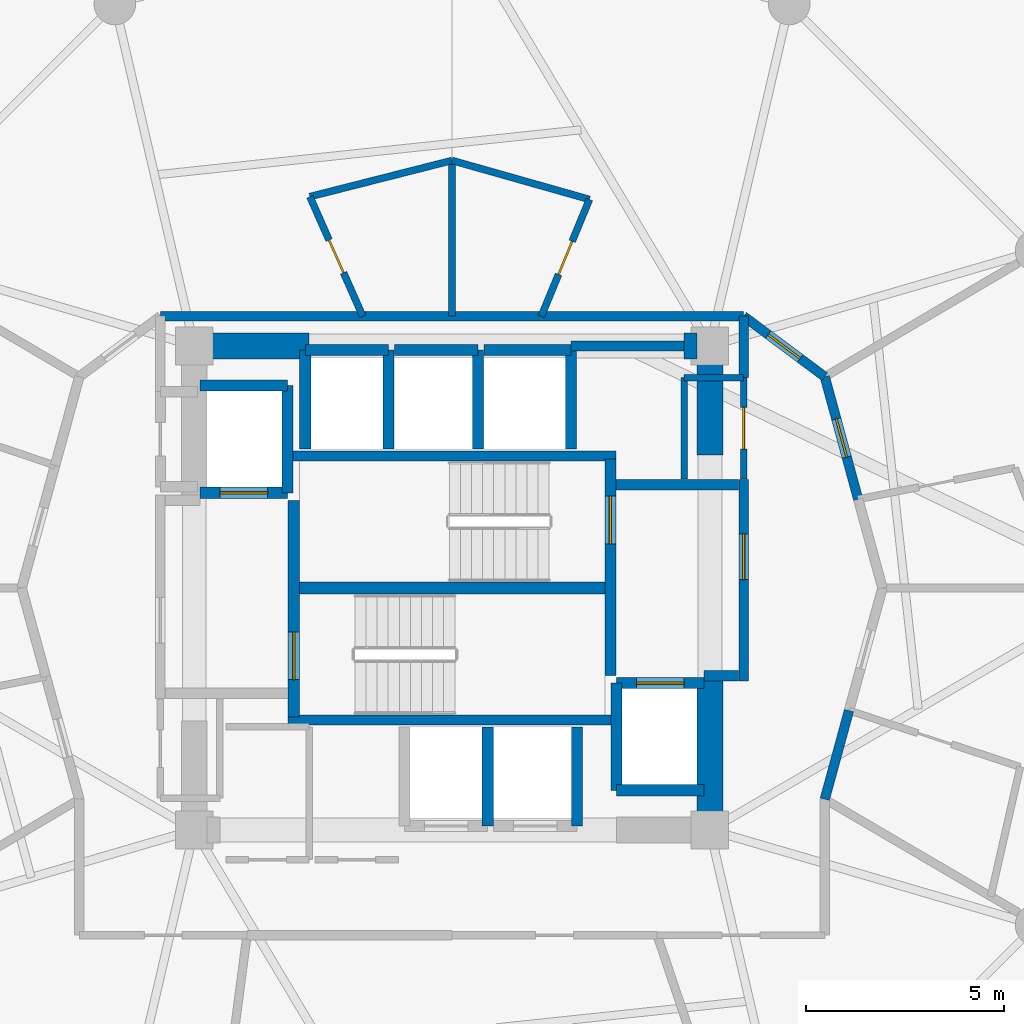
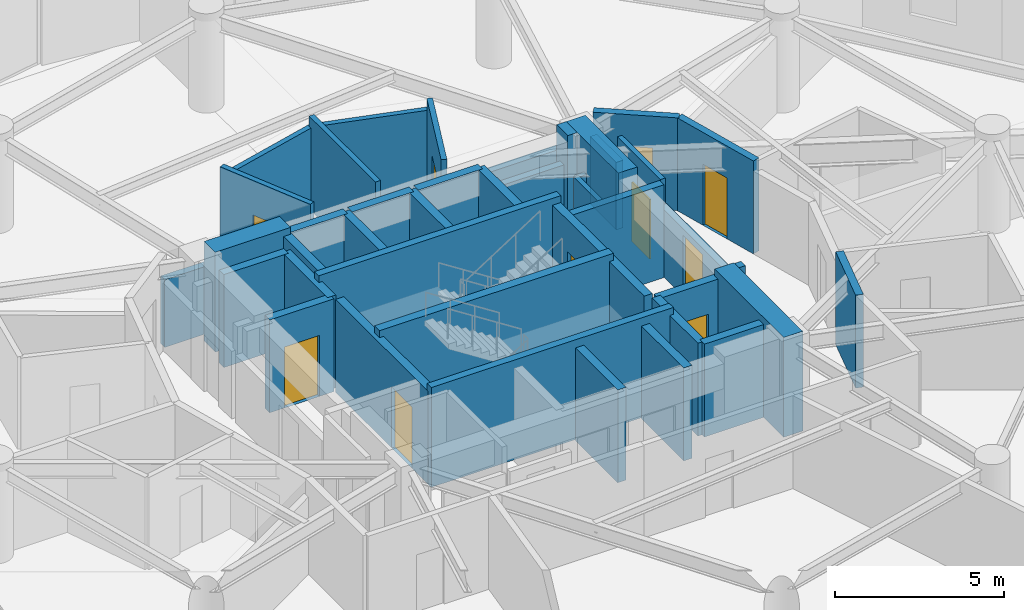
# One storey, part 19 of 23: 41 walls, 10 doors, 10 openings.
"""IFC4 building model written with IfcOpenShell, lengths in metres."""

from ifc_helpers import new_model, si_unit, direction, frame, frame_2d, origin, place, context, subcontext, project, spatial, rectangle, extrude, material, layer, layer_set, type_object, element, fill, save


model = new_model("IFC4")

# Units and contexts
model_context = context("Model", 3, precision=1e-05, world=origin(), true_north=direction((0.0, 1.0)))
body_context = subcontext(model_context, "Body", "Model", "MODEL_VIEW")
ifc_project = project(units=[si_unit("LENGTHUNIT", "METRE"), si_unit("AREAUNIT", "SQUARE_METRE"), si_unit("VOLUMEUNIT", "CUBIC_METRE"), si_unit("PLANEANGLEUNIT", "RADIAN"), si_unit("MASSUNIT", "GRAM", prefix="KILO")], contexts=[model_context])

# Site, building, storey
site_placement = place(None, origin())
site = spatial("IfcSite", under=ifc_project, at=site_placement, CompositionType="ELEMENT")
building_placement = place(site_placement, origin())
building = spatial("IfcBuilding", under=site, at=building_placement, Name="Solvirekh Grand Hotel", CompositionType="ELEMENT")
storey_placement = place(building_placement, frame((0.0, 0.0, 109.800048828125)))
storey = spatial("IfcBuildingStorey", under=building, at=storey_placement, Name="L27", CompositionType="ELEMENT", Elevation=109.800048828125)

# Walls
ifc_material_1 = material(Name="Concrete C50/60", Category="concrete")
ifc_layer_1 = layer(ifc_material_1, 0.35009765625)
ifc_layer_set_1 = layer_set([ifc_layer_1], Name="Concrete C50/60")
wall_type_1 = type_object("IfcWallType", Name="CoreDivWall_RC350", PredefinedType="SOLIDWALL", material=ifc_layer_set_1)
for number, where, z_axis, x_axis, name in (
    (1, (-4.1298828125, -3.324951171875, 0.0), (0.0, 0.0, 1.0), (1.0, 0.0, 0.0), "L27 core stair box wall ST-S"),
    (2, (-4.1298828125, 3.324951171875, 0.0), (0.0, 0.0, 1.0), (1.0, 0.0, 0.0), "L27 core stair box wall ST-N"),
):
    element("IfcWall", number, at=place(storey_placement, frame(where, z_axis=z_axis, x_axis=x_axis)), inside=storey, type_object=wall_type_1, Name=name, PredefinedType="SOLIDWALL", context=body_context, shape_type="SweptSolid", body=[
        extrude(rectangle(XDim=8.259765625, YDim=0.25, at=frame_2d((4.1298828125, 0.0))), origin(), (0.0, 0.0, 1.0), 3.599853515625),
    ])
ifc_material_2 = material(Name="Concrete C40/50", Category="concrete")
ifc_layer_2 = layer(ifc_material_2, 0.280029296875)
ifc_layer_set_2 = layer_set([ifc_layer_2], Name="Concrete C40/50")
wall_type_2 = type_object("IfcWallType", Name="CoreShaftWall_RC280", PredefinedType="SOLIDWALL", material=ifc_layer_set_2)
for number, where, z_axis, x_axis, name in (
    (3, (0.89990234375, -6.0, 0.0), (0.0, 0.0, 1.0), (0.0, 1.0, 0.0), "L27 MP-1 hoistway E wall"),
    (4, (3.14990234375, -6.0, 0.0), (0.0, 0.0, 1.0), (0.0, 1.0, 0.0), "L27 MP-2 hoistway E wall"),
):
    element("IfcWall", number, at=place(storey_placement, frame(where, z_axis=z_axis, x_axis=x_axis)), inside=storey, type_object=wall_type_2, Name=name, PredefinedType="SOLIDWALL", context=body_context, shape_type="SweptSolid", body=[
        extrude(rectangle(XDim=2.5, YDim=0.280029296875, at=frame_2d((1.25, 0.0))), origin(), (0.0, 0.0, 1.0), 3.349853515625),
    ])
wall_1_placement = place(storey_placement, frame((-1.60009765625, 6.0, 0.0), z_axis=(0.0, 0.0, 1.0), x_axis=(-1.0, 0.0, 0.0)))
element("IfcWall", 5, at=wall_1_placement, inside=storey, type_object=wall_type_2, Name="L27 HP-1 hoistway N wall", PredefinedType="SOLIDWALL", context=body_context, shape_type="SweptSolid", body=[
    extrude(rectangle(XDim=2.099853515625, YDim=0.280029296875, at=frame_2d((1.0498046875, 0.0))), origin(), (0.0, 0.0, 1.0), 3.349853515625),
])
for number, where, z_axis, x_axis, name in (
    (6, (-3.699951171875, 6.0, 0.0), (0.0, 0.0, 1.0), (0.0, -1.0, 0.0), "L27 HP-1 hoistway W wall"),
    (7, (-1.60009765625, 3.5, 0.0), (0.0, 0.0, 1.0), (0.0, 1.0, 0.0), "L27 HP-1 hoistway E wall"),
):
    element("IfcWall", number, at=place(storey_placement, frame(where, z_axis=z_axis, x_axis=x_axis)), inside=storey, type_object=wall_type_2, Name=name, PredefinedType="SOLIDWALL", context=body_context, shape_type="SweptSolid", body=[
        extrude(rectangle(XDim=2.5, YDim=0.280029296875, at=frame_2d((1.25, 0.0))), origin(), (0.0, 0.0, 1.0), 3.349853515625),
    ])
wall_2_placement = place(storey_placement, frame((0.64990234375, 6.0, 0.0), z_axis=(0.0, 0.0, 1.0), x_axis=(-1.0, 0.0, 0.0)))
element("IfcWall", 8, at=wall_2_placement, inside=storey, type_object=wall_type_2, Name="L27 HP-2 hoistway N wall", PredefinedType="SOLIDWALL", context=body_context, shape_type="SweptSolid", body=[
    extrude(rectangle(XDim=2.099853515625, YDim=0.280029296875, at=frame_2d((1.0498046875, 0.0))), origin(), (0.0, 0.0, 1.0), 3.349853515625),
])
wall_3_placement = place(storey_placement, frame((0.64990234375, 3.5, 0.0), z_axis=(0.0, 0.0, 1.0), x_axis=(0.0, 1.0, 0.0)))
element("IfcWall", 9, at=wall_3_placement, inside=storey, type_object=wall_type_2, Name="L27 HP-2 hoistway E wall", PredefinedType="SOLIDWALL", context=body_context, shape_type="SweptSolid", body=[
    extrude(rectangle(XDim=2.5, YDim=0.280029296875, at=frame_2d((1.25, 0.0))), origin(), (0.0, 0.0, 1.0), 3.349853515625),
])
wall_4_placement = place(storey_placement, frame((3.0, 6.0, 0.0), z_axis=(0.0, 0.0, 1.0), x_axis=(-1.0, 0.0, 0.0)))
element("IfcWall", 10, at=wall_4_placement, inside=storey, type_object=wall_type_2, Name="L27 EX-1 hoistway N wall", PredefinedType="SOLIDWALL", context=body_context, shape_type="SweptSolid", body=[
    extrude(rectangle(XDim=2.199951171875, YDim=0.280029296875, at=frame_2d((1.10009765625, 0.0))), origin(), (0.0, 0.0, 1.0), 3.349853515625),
])
wall_5_placement = place(storey_placement, frame((3.0, 3.5, 0.0), z_axis=(0.0, 0.0, 1.0), x_axis=(0.0, 1.0, 0.0)))
element("IfcWall", 11, at=wall_5_placement, inside=storey, type_object=wall_type_2, Name="L27 EX-1 hoistway E wall", PredefinedType="SOLIDWALL", context=body_context, shape_type="SweptSolid", body=[
    extrude(rectangle(XDim=2.5, YDim=0.280029296875, at=frame_2d((1.25, 0.0))), origin(), (0.0, 0.0, 1.0), 3.349853515625),
])

# Wall, opening, door
wall_6_placement = place(storey_placement, frame((-6.35009765625, 2.39990234375, 0.0), z_axis=(0.0, 0.0, 1.0), x_axis=(1.0, 0.0, 0.0)))
wall_6 = element("IfcWall", 12, at=wall_6_placement, inside=storey, type_object=wall_type_2, Name="L27 FL-1 hoistway S wall", PredefinedType="SOLIDWALL", context=body_context, shape_type="SweptSolid", body=[
    extrude(rectangle(XDim=2.2001953125, YDim=0.280029296875, at=frame_2d((1.10009765625, 0.0))), origin(), (0.0, 0.0, 1.0), 3.349853515625),
])
opening_1_placement = place(wall_6_placement, frame((0.5, 0.0, 0.0)))
opening_1 = element("IfcOpeningElement", 13, at=opening_1_placement, cuts=wall_6, Name="Opening LD02", PredefinedType="OPENING", context=body_context, shape_type="SweptSolid", body=[
    extrude(rectangle(XDim=1.199951171875, YDim=2.199951171875, at=frame_2d((0.60009765625, 1.10009765625))), frame((0.0, 0.14990234375, 0.0), z_axis=(0.0, -1.0, 0.0), x_axis=(1.0, 0.0, 0.0)), (0.0, 0.0, 1.0), 0.300048828125),
])
ifc_material_3 = material(Name="Fire-Rated Steel Door Assembly", Category="steel")
door_type_1 = type_object("IfcDoorType", Name="Door_LiftFF_1200X2200", OperationType="SLIDING_TO_LEFT", PredefinedType="DOOR", material=ifc_material_3)
door_1_placement = place(opening_1_placement, origin())
door_1 = element("IfcDoor", 14, at=door_1_placement, inside=storey, type_object=door_type_1, Name="L27 FL-1 sliding lift landing door", OperationType="SLIDING_TO_LEFT", OverallHeight=2.199951171875, OverallWidth=1.199951171875, PredefinedType="DOOR", context=body_context, shape_type="SweptSolid", body=[
    extrude(rectangle(XDim=1.199951171875, YDim=2.199951171875, at=frame_2d((0.60009765625, 1.10009765625))), frame((0.0, 0.02490234375, 0.0), z_axis=(0.0, -1.0, 0.0), x_axis=(1.0, 0.0, 0.0)), (0.0, 0.0, 1.0), 0.050048828125),
])
fill(opening_1, door_1)

# Walls
wall_7_placement = place(storey_placement, frame((-4.14990234375, 5.10009765625, 0.0), z_axis=(0.0, 0.0, 1.0), x_axis=(-1.0, 0.0, 0.0)))
element("IfcWall", 15, at=wall_7_placement, inside=storey, type_object=wall_type_2, Name="L27 FL-1 hoistway N wall", PredefinedType="SOLIDWALL", context=body_context, shape_type="SweptSolid", body=[
    extrude(rectangle(XDim=2.2001953125, YDim=0.280029296875, at=frame_2d((1.10009765625, 0.0))), origin(), (0.0, 0.0, 1.0), 3.349853515625),
])
wall_8_placement = place(storey_placement, frame((-4.14990234375, 2.39990234375, 0.0), z_axis=(0.0, 0.0, 1.0), x_axis=(0.0, 1.0, 0.0)))
element("IfcWall", 16, at=wall_8_placement, inside=storey, type_object=wall_type_2, Name="L27 FL-1 hoistway E wall", PredefinedType="SOLIDWALL", context=body_context, shape_type="SweptSolid", body=[
    extrude(rectangle(XDim=2.7001953125, YDim=0.280029296875, at=frame_2d((1.35009765625, 0.0))), origin(), (0.0, 0.0, 1.0), 3.349853515625),
])
wall_9_placement = place(storey_placement, frame((4.14990234375, -5.10009765625, 0.0), z_axis=(0.0, 0.0, 1.0), x_axis=(1.0, 0.0, 0.0)))
element("IfcWall", 17, at=wall_9_placement, inside=storey, type_object=wall_type_2, Name="L27 FL-2 hoistway S wall", PredefinedType="SOLIDWALL", context=body_context, shape_type="SweptSolid", body=[
    extrude(rectangle(XDim=2.2001953125, YDim=0.280029296875, at=frame_2d((1.10009765625, 0.0))), origin(), (0.0, 0.0, 1.0), 3.349853515625),
])

# Wall, opening, door
wall_10_placement = place(storey_placement, frame((6.35009765625, -2.39990234375, 0.0), z_axis=(0.0, 0.0, 1.0), x_axis=(-1.0, 0.0, 0.0)))
wall_10 = element("IfcWall", 18, at=wall_10_placement, inside=storey, type_object=wall_type_2, Name="L27 FL-2 hoistway N wall", PredefinedType="SOLIDWALL", context=body_context, shape_type="SweptSolid", body=[
    extrude(rectangle(XDim=2.2001953125, YDim=0.280029296875, at=frame_2d((1.10009765625, 0.0))), origin(), (0.0, 0.0, 1.0), 3.349853515625),
])
opening_2_placement = place(wall_10_placement, frame((0.5, 0.0, 0.0)))
opening_2 = element("IfcOpeningElement", 19, at=opening_2_placement, cuts=wall_10, Name="Opening LD02", PredefinedType="OPENING", context=body_context, shape_type="SweptSolid", body=[
    extrude(rectangle(XDim=1.199951171875, YDim=2.199951171875, at=frame_2d((0.60009765625, 1.10009765625))), frame((0.0, 0.14990234375, 0.0), z_axis=(0.0, -1.0, 0.0), x_axis=(1.0, 0.0, 0.0)), (0.0, 0.0, 1.0), 0.300048828125),
])
door_2_placement = place(opening_2_placement, origin())
door_2 = element("IfcDoor", 20, at=door_2_placement, inside=storey, type_object=door_type_1, Name="L27 FL-2 sliding lift landing door", OperationType="SLIDING_TO_LEFT", OverallHeight=2.199951171875, OverallWidth=1.199951171875, PredefinedType="DOOR", context=body_context, shape_type="SweptSolid", body=[
    extrude(rectangle(XDim=1.199951171875, YDim=2.199951171875, at=frame_2d((0.60009765625, 1.10009765625))), frame((0.0, 0.02490234375, 0.0), z_axis=(0.0, -1.0, 0.0), x_axis=(1.0, 0.0, 0.0)), (0.0, 0.0, 1.0), 0.050048828125),
])
fill(opening_2, door_2)

# Wall
wall_11_placement = place(storey_placement, frame((4.14990234375, -2.39990234375, 0.0), z_axis=(0.0, 0.0, 1.0), x_axis=(0.0, -1.0, 0.0)))
element("IfcWall", 21, at=wall_11_placement, inside=storey, type_object=wall_type_2, Name="L27 FL-2 hoistway W wall", PredefinedType="SOLIDWALL", context=body_context, shape_type="SweptSolid", body=[
    extrude(rectangle(XDim=2.7001953125, YDim=0.280029296875, at=frame_2d((1.35009765625, 0.0))), origin(), (0.0, 0.0, 1.0), 3.349853515625),
])

# Wall, opening, door
wall_12_placement = place(storey_placement, frame((-3.989990234375, -3.25, 0.0), z_axis=(0.0, 0.0, 1.0), x_axis=(0.0, 1.0, 0.0)))
wall_12 = element("IfcWall", 22, at=wall_12_placement, inside=storey, type_object=wall_type_2, Name="L27 west stair landing enclosure wall", PredefinedType="SOLIDWALL", context=body_context, shape_type="SweptSolid", body=[
    extrude(rectangle(XDim=5.4599609375, YDim=0.280029296875, at=frame_2d((2.72998046875, 0.0))), origin(), (0.0, 0.0, 1.0), 3.349853515625),
])
opening_3_placement = place(wall_12_placement, frame((0.93701171875, 0.0, 0.0)))
opening_3 = element("IfcOpeningElement", 23, at=opening_3_placement, cuts=wall_12, Name="Opening D05", PredefinedType="OPENING", context=body_context, shape_type="SweptSolid", body=[
    extrude(rectangle(XDim=1.199951171875, YDim=2.199951171875, at=frame_2d((0.60009765625, 1.10009765625))), frame((0.0, 0.14990234375, 0.0), z_axis=(0.0, -1.0, 0.0), x_axis=(1.0, 0.0, 0.0)), (0.0, 0.0, 1.0), 0.300048828125),
])
door_type_2 = type_object("IfcDoorType", Name="Door_StairCore_1200X2200", OperationType="NOTDEFINED", PredefinedType="DOOR", material=ifc_material_3)
door_3_placement = place(opening_3_placement, origin())
door_3 = element("IfcDoor", 24, at=door_3_placement, inside=storey, type_object=door_type_2, Name="L27 exit stair ST-1 fire door", OperationType="SINGLE_SWING_RIGHT", OverallHeight=2.199951171875, OverallWidth=1.199951171875, PredefinedType="DOOR", context=body_context, shape_type="SweptSolid", body=[
    extrude(rectangle(XDim=1.199951171875, YDim=2.199951171875, at=frame_2d((0.60009765625, 1.10009765625))), frame((0.0, 0.02490234375, 0.0), z_axis=(0.0, -1.0, 0.0), x_axis=(1.0, 0.0, 0.0)), (0.0, 0.0, 1.0), 0.050048828125),
])
fill(opening_3, door_3)

wall_13_placement = place(storey_placement, frame((3.989990234375, -2.2099609375, 0.0), z_axis=(0.0, 0.0, 1.0), x_axis=(0.0, 1.0, 0.0)))
wall_13 = element("IfcWall", 25, at=wall_13_placement, inside=storey, type_object=wall_type_2, Name="L27 east stair landing enclosure wall", PredefinedType="SOLIDWALL", context=body_context, shape_type="SweptSolid", body=[
    extrude(rectangle(XDim=5.4599609375, YDim=0.280029296875, at=frame_2d((2.72998046875, 0.0))), origin(), (0.0, 0.0, 1.0), 3.349853515625),
])
opening_4_placement = place(wall_13_placement, frame((3.322998046875, 0.0, 0.0)))
opening_4 = element("IfcOpeningElement", 26, at=opening_4_placement, cuts=wall_13, Name="Opening D05", PredefinedType="OPENING", context=body_context, shape_type="SweptSolid", body=[
    extrude(rectangle(XDim=1.199951171875, YDim=2.199951171875, at=frame_2d((0.60009765625, 1.10009765625))), frame((0.0, 0.14990234375, 0.0), z_axis=(0.0, -1.0, 0.0), x_axis=(1.0, 0.0, 0.0)), (0.0, 0.0, 1.0), 0.300048828125),
])
door_4_placement = place(opening_4_placement, origin())
door_4 = element("IfcDoor", 27, at=door_4_placement, inside=storey, type_object=door_type_2, Name="L27 exit stair ST-2 fire door", OperationType="SINGLE_SWING_LEFT", OverallHeight=2.199951171875, OverallWidth=1.199951171875, PredefinedType="DOOR", context=body_context, shape_type="SweptSolid", body=[
    extrude(rectangle(XDim=1.199951171875, YDim=2.199951171875, at=frame_2d((0.60009765625, 1.10009765625))), frame((0.0, 0.02490234375, 0.0), z_axis=(0.0, -1.0, 0.0), x_axis=(1.0, 0.0, 0.0)), (0.0, 0.0, 1.0), 0.050048828125),
])
fill(opening_4, door_4)

# Walls
ifc_layer_3 = layer(ifc_material_1, 0.64990234375)
ifc_layer_set_3 = layer_set([ifc_layer_3], Name="Concrete C50/60")
wall_type_3 = type_object("IfcWallType", Name="CoreWall_RC650", PredefinedType="SHEAR", material=ifc_layer_set_3)
wall_14_placement = place(storey_placement, frame((-3.989990234375, 0.0, 0.0), z_axis=(0.0, 0.0, 1.0), x_axis=(1.0, 0.0, 0.0)))
element("IfcWall", 28, at=wall_14_placement, inside=storey, type_object=wall_type_3, Name="L27 central stair-spine shear wall", PredefinedType="SHEAR", context=body_context, shape_type="SweptSolid", body=[
    extrude(rectangle(XDim=7.97998046875, YDim=0.300048828125, at=frame_2d((3.989990234375, 0.0))), origin(), (0.0, 0.0, 1.0), 3.599853515625),
])
wall_15_placement = place(storey_placement, frame((-6.175048828125, 6.10009765625, 0.0), z_axis=(0.0, 0.0, 1.0), x_axis=(1.0, 0.0, 0.0)))
element("IfcWall", 29, at=wall_15_placement, inside=storey, type_object=wall_type_3, Name="L27 core corner shear wall NW-N", PredefinedType="SHEAR", context=body_context, shape_type="SweptSolid", body=[
    extrude(rectangle(XDim=2.574951171875, YDim=0.64990234375, at=frame_2d((1.28759765625, 0.0))), origin(), (0.0, 0.0, 1.0), 3.599853515625),
])
wall_16_placement = place(storey_placement, frame((5.85009765625, 6.10009765625, 0.0), z_axis=(0.0, 0.0, 1.0), x_axis=(1.0, 0.0, 0.0)))
element("IfcWall", 30, at=wall_16_placement, inside=storey, type_object=wall_type_3, Name="L27 core corner shear wall NE-N", PredefinedType="SHEAR", context=body_context, shape_type="SweptSolid", body=[
    extrude(rectangle(XDim=0.324951171875, YDim=0.64990234375, at=frame_2d((0.16259765625, 0.0))), origin(), (0.0, 0.0, 1.0), 3.599853515625),
])
wall_17_placement = place(storey_placement, frame((6.5, -6.425048828125, 0.0), z_axis=(0.0, 0.0, 1.0), x_axis=(0.0, 1.0, 0.0)))
element("IfcWall", 31, at=wall_17_placement, inside=storey, type_object=wall_type_3, Name="L27 core corner shear wall ES-E", PredefinedType="SHEAR", context=body_context, shape_type="SweptSolid", body=[
    extrude(rectangle(XDim=4.074951171875, YDim=0.64990234375, at=frame_2d((2.03759765625, 0.0))), origin(), (0.0, 0.0, 1.0), 3.599853515625),
])
wall_18_placement = place(storey_placement, frame((6.5, 3.35009765625, 0.0), z_axis=(0.0, 0.0, 1.0), x_axis=(0.0, 1.0, 0.0)))
element("IfcWall", 32, at=wall_18_placement, inside=storey, type_object=wall_type_3, Name="L27 core corner shear wall EN-E", PredefinedType="SHEAR", context=body_context, shape_type="SweptSolid", body=[
    extrude(rectangle(XDim=3.074951171875, YDim=0.64990234375, at=frame_2d((1.53759765625, 0.0))), origin(), (0.0, 0.0, 1.0), 3.599853515625),
])

# Wall, opening, door
ifc_material_4 = material(Name="Acoustic Gypsum Partition Assembly")
ifc_layer_4 = layer(ifc_material_4, 0.1650390625)
ifc_layer_set_4 = layer_set([ifc_layer_4], Name="Acoustic Gypsum Partition Assembly")
wall_type_4 = type_object("IfcWallType", Name="Part_BOH_165", PredefinedType="PARTITIONING", material=ifc_layer_set_4)
wall_19_placement = place(storey_placement, frame((7.35009765625, 2.75, 0.0), z_axis=(0.0, 0.0, 1.0), x_axis=(0.0, 1.0, 0.0)))
wall_19 = element("IfcWall", 33, at=wall_19_placement, inside=storey, type_object=wall_type_4, Name="L27 L27 Telecom Distribution Room wall 2", PredefinedType="PARTITIONING", context=body_context, shape_type="SweptSolid", body=[
    extrude(rectangle(XDim=2.550048828125, YDim=0.1650390625, at=frame_2d((1.27490234375, 0.0))), origin(), (0.0, 0.0, 1.0), 3.349853515625),
])
opening_5_placement = place(wall_19_placement, frame((0.75, 0.0, 0.0)))
opening_5 = element("IfcOpeningElement", 34, at=opening_5_placement, cuts=wall_19, Name="Opening D12", PredefinedType="OPENING", context=body_context, shape_type="SweptSolid", body=[
    extrude(rectangle(XDim=1.050048828125, YDim=2.14990234375, at=frame_2d((0.52490234375, 1.074951171875))), frame((0.0, 0.092529296875, 0.0), z_axis=(0.0, -1.0, 0.0), x_axis=(1.0, 0.0, 0.0)), (0.0, 0.0, 1.0), 0.18505859375),
])
door_type_3 = type_object("IfcDoorType", Name="Door_PlantBOH_1050X2150", OperationType="NOTDEFINED", PredefinedType="DOOR", material=ifc_material_3)
door_5_placement = place(opening_5_placement, origin())
door_5 = element("IfcDoor", 35, at=door_5_placement, inside=storey, type_object=door_type_3, Name="L27 L27 Telecom Distribution Room door", OperationType="SINGLE_SWING_RIGHT", OverallHeight=2.14990234375, OverallWidth=1.050048828125, PredefinedType="DOOR", context=body_context, shape_type="SweptSolid", body=[
    extrude(rectangle(XDim=1.050048828125, YDim=2.14990234375, at=frame_2d((0.52490234375, 1.074951171875))), frame((0.0, 0.02490234375, 0.0), z_axis=(0.0, -1.0, 0.0), x_axis=(1.0, 0.0, 0.0)), (0.0, 0.0, 1.0), 0.050048828125),
])
fill(opening_5, door_5)

# Walls
wall_20_placement = place(storey_placement, frame((7.35009765625, 5.300048828125, 0.0), z_axis=(0.0, 0.0, 1.0), x_axis=(-1.0, 0.0, 0.0)))
element("IfcWall", 36, at=wall_20_placement, inside=storey, type_object=wall_type_4, Name="L27 L27 Telecom Distribution Room wall 3", PredefinedType="PARTITIONING", context=body_context, shape_type="SweptSolid", body=[
    extrude(rectangle(XDim=1.5, YDim=0.1650390625, at=frame_2d((0.75, 0.0))), origin(), (0.0, 0.0, 1.0), 2.4208984375),
])
wall_21_placement = place(storey_placement, frame((5.85009765625, 5.300048828125, 0.0), z_axis=(0.0, 0.0, 1.0), x_axis=(0.0, -1.0, 0.0)))
element("IfcWall", 37, at=wall_21_placement, inside=storey, type_object=wall_type_4, Name="L27 L27 Telecom Distribution Room wall 4", PredefinedType="PARTITIONING", context=body_context, shape_type="SweptSolid", body=[
    extrude(rectangle(XDim=2.550048828125, YDim=0.1650390625, at=frame_2d((1.27490234375, 0.0))), origin(), (0.0, 0.0, 1.0), 2.43505859375),
])

# Wall, opening, door
ifc_layer_5 = layer(ifc_material_4, 0.239990234375)
ifc_layer_set_5 = layer_set([ifc_layer_5], Name="Acoustic Gypsum Partition Assembly")
wall_type_5 = type_object("IfcWallType", Name="Part_Corridor_240", PredefinedType="PARTITIONING", material=ifc_layer_set_5)
wall_22_placement = place(storey_placement, frame((7.35009765625, -2.340087890625, 0.0), z_axis=(0.0, 0.0, 1.0), x_axis=(0.0, 1.0, 0.0)))
wall_22 = element("IfcWall", 38, at=wall_22_placement, inside=storey, type_object=wall_type_5, Name="L27 east firefighting lobby smoke screen wall", PredefinedType="PARTITIONING", context=body_context, shape_type="SweptSolid", body=[
    extrude(rectangle(XDim=5.070068359375, YDim=0.239990234375, at=frame_2d((2.53515625, 0.0))), origin(), (0.0, 0.0, 1.0), 2.43505859375),
])
opening_6_placement = place(wall_22_placement, frame((2.548095703125, 0.0, 0.0)))
opening_6 = element("IfcOpeningElement", 39, at=opening_6_placement, cuts=wall_22, Name="Opening D06", PredefinedType="OPENING", context=body_context, shape_type="SweptSolid", body=[
    extrude(rectangle(XDim=1.14990234375, YDim=2.199951171875, at=frame_2d((0.574951171875, 1.10009765625))), frame((0.0, 0.1298828125, 0.0), z_axis=(0.0, -1.0, 0.0), x_axis=(1.0, 0.0, 0.0)), (0.0, 0.0, 1.0), 0.260009765625),
])
door_type_4 = type_object("IfcDoorType", Name="Door_FFLobby_1150X2200", OperationType="NOTDEFINED", PredefinedType="DOOR", material=ifc_material_3)
door_6_placement = place(opening_6_placement, origin())
door_6 = element("IfcDoor", 40, at=door_6_placement, inside=storey, type_object=door_type_4, Name="L27 east firefighting lobby smoke door", OperationType="SINGLE_SWING_LEFT", OverallHeight=2.199951171875, OverallWidth=1.14990234375, PredefinedType="DOOR", context=body_context, shape_type="SweptSolid", body=[
    extrude(rectangle(XDim=1.14990234375, YDim=2.199951171875, at=frame_2d((0.574951171875, 1.10009765625))), frame((0.0, 0.02490234375, 0.0), z_axis=(0.0, -1.0, 0.0), x_axis=(1.0, 0.0, 0.0)), (0.0, 0.0, 1.0), 0.050048828125),
])
fill(opening_6, door_6)

# Walls
wall_23_placement = place(storey_placement, frame((-7.35009765625, 6.85009765625, 0.0), z_axis=(0.0, 0.0, 1.0), x_axis=(1.0, 0.0, 0.0)))
element("IfcWall", 41, at=wall_23_placement, inside=storey, type_object=wall_type_5, Name="L27 north core backing partition", PredefinedType="PARTITIONING", context=body_context, shape_type="SweptSolid", body=[
    extrude(rectangle(XDim=14.7001953125, YDim=0.239990234375, at=frame_2d((7.35009765625, 0.0))), origin(), (0.0, 0.0, 1.0), 2.43505859375),
])
wall_24_placement = place(storey_placement, frame((7.35009765625, 5.300048828125, 0.0), z_axis=(0.0, 0.0, 1.0), x_axis=(0.0, 1.0, 0.0)))
element("IfcWall", 42, at=wall_24_placement, inside=storey, type_object=wall_type_5, Name="L27 NE core cheek closure wall", PredefinedType="PARTITIONING", context=body_context, shape_type="SweptSolid", body=[
    extrude(rectangle(XDim=1.550048828125, YDim=0.239990234375, at=frame_2d((0.77490234375, 0.0))), origin(), (0.0, 0.0, 1.0), 2.43505859375),
])
wall_25_placement = place(storey_placement, frame((3.0, 6.10009765625, 0.0), z_axis=(0.0, 0.0, 1.0), x_axis=(1.0, 0.0, 0.0)))
element("IfcWall", 43, at=wall_25_placement, inside=storey, type_object=wall_type_5, Name="L27 north core shaft infill wall", PredefinedType="PARTITIONING", context=body_context, shape_type="SweptSolid", body=[
    extrude(rectangle(XDim=2.85009765625, YDim=0.239990234375, at=frame_2d((1.425048828125, 0.0))), origin(), (0.0, 0.0, 1.0), 2.4208984375),
])

# Wall, opening, door
wall_26_placement = place(storey_placement, frame((7.35009765625, 6.85009765625, 0.0), z_axis=(0.0, 0.0, 1.0), x_axis=(0.8017416961, -0.597670689205, 0.0)))
wall_26 = element("IfcWall", 44, at=wall_26_placement, inside=storey, type_object=wall_type_5, Name="L27 Panorama Suite 2901 entrance wall", PredefinedType="PARTITIONING", context=body_context, shape_type="SweptSolid", body=[
    extrude(rectangle(XDim=2.5517578125, YDim=0.239990234375, at=frame_2d((1.27587890625, 0.0))), origin(), (0.0, 0.0, 1.0), 3.349853515625),
])
opening_7_placement = place(wall_26_placement, frame((0.77587890625, 0.0, 0.0)))
opening_7 = element("IfcOpeningElement", 45, at=opening_7_placement, cuts=wall_26, Name="Opening D07", PredefinedType="OPENING", context=body_context, shape_type="SweptSolid", body=[
    extrude(rectangle(XDim=1.0, YDim=2.199951171875, at=frame_2d((0.5, 1.10009765625))), frame((0.0, 0.1298828125, 0.0), z_axis=(0.0, -1.0, 0.0), x_axis=(1.0, 0.0, 0.0)), (0.0, 0.0, 1.0), 0.260009765625),
])
door_type_5 = type_object("IfcDoorType", Name="Door_GuestEntry_1000X2200", OperationType="NOTDEFINED", PredefinedType="DOOR", material=ifc_material_3)
door_7_placement = place(opening_7_placement, origin())
door_7 = element("IfcDoor", 46, at=door_7_placement, inside=storey, type_object=door_type_5, Name="L27 Panorama Suite 2901 entrance door", OperationType="SINGLE_SWING_RIGHT", OverallHeight=2.199951171875, OverallWidth=1.0, PredefinedType="DOOR", context=body_context, shape_type="SweptSolid", body=[
    extrude(rectangle(XDim=1.0, YDim=2.199951171875, at=frame_2d((0.5, 1.10009765625))), frame((0.0, 0.02490234375, 0.0), z_axis=(0.0, -1.0, 0.0), x_axis=(1.0, 0.0, 0.0)), (0.0, 0.0, 1.0), 0.050048828125),
])
fill(opening_7, door_7)

# Wall
wall_27_placement = place(storey_placement, frame((9.39599609375, -5.324951171875, 0.0), z_axis=(0.0, 0.0, 1.0), x_axis=(0.263643210908, 0.964620265878, 0.0)))
element("IfcWall", 47, at=wall_27_placement, inside=storey, type_object=wall_type_5, Name="L27 En-suite Bathroom 2905 corridor backing wall", PredefinedType="PARTITIONING", context=body_context, shape_type="SweptSolid", body=[
    extrude(rectangle(XDim=2.31787109375, YDim=0.239990234375, at=frame_2d((1.158935546875, 0.0))), origin(), (0.0, 0.0, 1.0), 3.349853515625),
])

# Wall, opening, door
wall_28_placement = place(storey_placement, frame((10.239013671875, 2.236083984375, 0.0), z_axis=(0.0, 0.0, 1.0), x_axis=(-0.26329160366, 0.964716295831, 0.0)))
wall_28 = element("IfcWall", 48, at=wall_28_placement, inside=storey, type_object=wall_type_5, Name="L27 Deluxe Guestroom 2906 entrance wall", PredefinedType="PARTITIONING", context=body_context, shape_type="SweptSolid", body=[
    extrude(rectangle(XDim=3.201904296875, YDim=0.239990234375, at=frame_2d((1.60107421875, 0.0))), origin(), (0.0, 0.0, 1.0), 3.349853515625),
])
opening_8_placement = place(wall_28_placement, frame((1.10107421875, 0.0, 0.0)))
opening_8 = element("IfcOpeningElement", 49, at=opening_8_placement, cuts=wall_28, Name="Opening D07", PredefinedType="OPENING", context=body_context, shape_type="SweptSolid", body=[
    extrude(rectangle(XDim=1.0, YDim=2.199951171875, at=frame_2d((0.5, 1.10009765625))), frame((0.0, 0.1298828125, 0.0), z_axis=(0.0, -1.0, 0.0), x_axis=(1.0, 0.0, 0.0)), (0.0, 0.0, 1.0), 0.260009765625),
])
door_8_placement = place(opening_8_placement, origin())
door_8 = element("IfcDoor", 50, at=door_8_placement, inside=storey, type_object=door_type_5, Name="L27 Deluxe Guestroom 2906 entrance door", OperationType="SINGLE_SWING_RIGHT", OverallHeight=2.199951171875, OverallWidth=1.0, PredefinedType="DOOR", context=body_context, shape_type="SweptSolid", body=[
    extrude(rectangle(XDim=1.0, YDim=2.199951171875, at=frame_2d((0.5, 1.10009765625))), frame((0.0, 0.02490234375, 0.0), z_axis=(0.0, -1.0, 0.0), x_axis=(1.0, 0.0, 0.0)), (0.0, 0.0, 1.0), 0.050048828125),
])
fill(opening_8, door_8)

# Walls
ifc_layer_6 = layer(ifc_material_4, 0.260009765625)
ifc_layer_set_6 = layer_set([ifc_layer_6], Name="Acoustic Gypsum Partition Assembly")
wall_type_6 = type_object("IfcWallType", Name="Part_LobbyFF_260", PredefinedType="PARTITIONING", material=ifc_layer_set_6)
wall_29_placement = place(storey_placement, frame((6.35009765625, -2.2099609375, 0.0), z_axis=(0.0, 0.0, 1.0), x_axis=(1.0, 0.0, 0.0)))
element("IfcWall", 51, at=wall_29_placement, inside=storey, type_object=wall_type_6, Name="L27 east firefighting lobby SE cheek", PredefinedType="PARTITIONING", context=body_context, shape_type="SweptSolid", body=[
    extrude(rectangle(XDim=0.875, YDim=0.260009765625, at=frame_2d((0.4375, 0.0))), origin(), (0.0, 0.0, 1.0), 3.349853515625),
])
wall_30_placement = place(storey_placement, frame((4.1298828125, 2.60009765625, 0.0), z_axis=(0.0, 0.0, 1.0), x_axis=(1.0, 0.0, 0.0)))
element("IfcWall", 52, at=wall_30_placement, inside=storey, type_object=wall_type_6, Name="L27 east firefighting lobby north partition", PredefinedType="PARTITIONING", context=body_context, shape_type="SweptSolid", body=[
    extrude(rectangle(XDim=3.09521484375, YDim=0.260009765625, at=frame_2d((1.547607421875, 0.0))), origin(), (0.0, 0.0, 1.0), 3.349853515625),
])
ifc_layer_7 = layer(ifc_material_4, 0.175048828125)
ifc_layer_set_7 = layer_set([ifc_layer_7], Name="Acoustic Gypsum Partition Assembly")
wall_type_7 = type_object("IfcWallType", Name="Plumb_Ensuite_175", PredefinedType="PLUMBINGWALL", material=ifc_layer_set_7)
wall_31_placement = place(storey_placement, frame((0.0, 10.77587890625, 0.0), z_axis=(0.0, 0.0, 1.0), x_axis=(0.962140957865, -0.272552338459, 0.0)))
element("IfcWall", 53, at=wall_31_placement, inside=storey, type_object=wall_type_7, Name="L27 En-suite Bathroom 2901 outer plumbing wall", PredefinedType="PLUMBINGWALL", context=body_context, shape_type="SweptSolid", body=[
    extrude(rectangle(XDim=3.59912109375, YDim=0.175048828125, at=frame_2d((1.799560546875, 0.0))), origin(), (0.0, 0.0, 1.0), 2.98486328125),
])
wall_32_placement = place(storey_placement, frame((0.0, 10.77587890625, 0.0), z_axis=(0.0, 0.0, 1.0), x_axis=(0.0, -1.0, 0.0)))
element("IfcWall", 54, at=wall_32_placement, inside=storey, type_object=wall_type_7, Name="L27 En-suite Bathroom 2901 side plumbing wall", PredefinedType="PLUMBINGWALL", context=body_context, shape_type="SweptSolid", body=[
    extrude(rectangle(XDim=3.92578125, YDim=0.175048828125, at=frame_2d((1.962890625, 0.0))), origin(), (0.0, 0.0, 1.0), 3.349853515625),
])

# Wall, opening, door
wall_33_placement = place(storey_placement, frame((2.25, 6.85009765625, 0.0), z_axis=(0.0, 0.0, 1.0), x_axis=(0.380834625893, 0.924643167779, 0.0)))
wall_33 = element("IfcWall", 55, at=wall_33_placement, inside=storey, type_object=wall_type_7, Name="L27 En-suite Bathroom 2901 entry plumbing wall", PredefinedType="PLUMBINGWALL", context=body_context, shape_type="SweptSolid", body=[
    extrude(rectangle(XDim=3.184814453125, YDim=0.175048828125, at=frame_2d((1.59228515625, 0.0))), origin(), (0.0, 0.0, 1.0), 3.349853515625),
])
opening_9_placement = place(wall_33_placement, frame((1.14306640625, 0.0, 0.0)))
opening_9 = element("IfcOpeningElement", 56, at=opening_9_placement, cuts=wall_33, Name="Opening D09", PredefinedType="OPENING", context=body_context, shape_type="SweptSolid", body=[
    extrude(rectangle(XDim=0.89990234375, YDim=2.10009765625, at=frame_2d((0.449951171875, 1.050048828125))), frame((0.0, 0.09765625, 0.0), z_axis=(0.0, -1.0, 0.0), x_axis=(1.0, 0.0, 0.0)), (0.0, 0.0, 1.0), 0.195068359375),
])
ifc_material_5 = material(Name="Anodized Bronze Aluminium 6063-T6", Category="aluminium")
door_type_6 = type_object("IfcDoorType", Name="Door_Ensuite_900X2100", OperationType="NOTDEFINED", PredefinedType="DOOR", material=ifc_material_5)
door_9_placement = place(opening_9_placement, origin())
door_9 = element("IfcDoor", 57, at=door_9_placement, inside=storey, type_object=door_type_6, Name="L27 En-suite Bathroom 2901 door", OperationType="SINGLE_SWING_LEFT", OverallHeight=2.10009765625, OverallWidth=0.89990234375, PredefinedType="DOOR", context=body_context, shape_type="SweptSolid", body=[
    extrude(rectangle(XDim=0.89990234375, YDim=2.10009765625, at=frame_2d((0.449951171875, 1.050048828125))), frame((0.0, 0.02490234375, 0.0), z_axis=(0.0, -1.0, 0.0), x_axis=(1.0, 0.0, 0.0)), (0.0, 0.0, 1.0), 0.050048828125),
])
fill(opening_9, door_9)

# Wall
wall_34_placement = place(storey_placement, frame((-3.583984375, 9.864990234375, 0.0), z_axis=(0.0, 0.0, 1.0), x_axis=(0.969187500781, 0.246324152957, 0.0)))
element("IfcWall", 58, at=wall_34_placement, inside=storey, type_object=wall_type_7, Name="L27 En-suite Bathroom 2902 outer plumbing wall", PredefinedType="PLUMBINGWALL", context=body_context, shape_type="SweptSolid", body=[
    extrude(rectangle(XDim=3.697998046875, YDim=0.175048828125, at=frame_2d((1.84912109375, 0.0))), origin(), (0.0, 0.0, 1.0), 2.98486328125),
])

# Wall, opening, door
wall_35_placement = place(storey_placement, frame((-3.583984375, 9.864990234375, 0.0), z_axis=(0.0, 0.0, 1.0), x_axis=(0.404626310395, -0.914482120621, 0.0)))
wall_35 = element("IfcWall", 59, at=wall_35_placement, inside=storey, type_object=wall_type_7, Name="L27 En-suite Bathroom 2902 entry plumbing wall", PredefinedType="PLUMBINGWALL", context=body_context, shape_type="SweptSolid", body=[
    extrude(rectangle(XDim=3.296875, YDim=0.175048828125, at=frame_2d((1.6484375, 0.0))), origin(), (0.0, 0.0, 1.0), 3.349853515625),
])
opening_10_placement = place(wall_35_placement, frame((1.197998046875, 0.0, 0.0)))
opening_10 = element("IfcOpeningElement", 60, at=opening_10_placement, cuts=wall_35, Name="Opening D09", PredefinedType="OPENING", context=body_context, shape_type="SweptSolid", body=[
    extrude(rectangle(XDim=0.89990234375, YDim=2.10009765625, at=frame_2d((0.449951171875, 1.050048828125))), frame((0.0, 0.09765625, 0.0), z_axis=(0.0, -1.0, 0.0), x_axis=(1.0, 0.0, 0.0)), (0.0, 0.0, 1.0), 0.195068359375),
])
door_10_placement = place(opening_10_placement, origin())
door_10 = element("IfcDoor", 61, at=door_10_placement, inside=storey, type_object=door_type_6, Name="L27 En-suite Bathroom 2902 door", OperationType="SINGLE_SWING_LEFT", OverallHeight=2.10009765625, OverallWidth=0.89990234375, PredefinedType="DOOR", context=body_context, shape_type="SweptSolid", body=[
    extrude(rectangle(XDim=0.89990234375, YDim=2.10009765625, at=frame_2d((0.449951171875, 1.050048828125))), frame((0.0, 0.02490234375, 0.0), z_axis=(0.0, -1.0, 0.0), x_axis=(1.0, 0.0, 0.0)), (0.0, 0.0, 1.0), 0.050048828125),
])
fill(opening_10, door_10)

save(model, "model.ifc")
